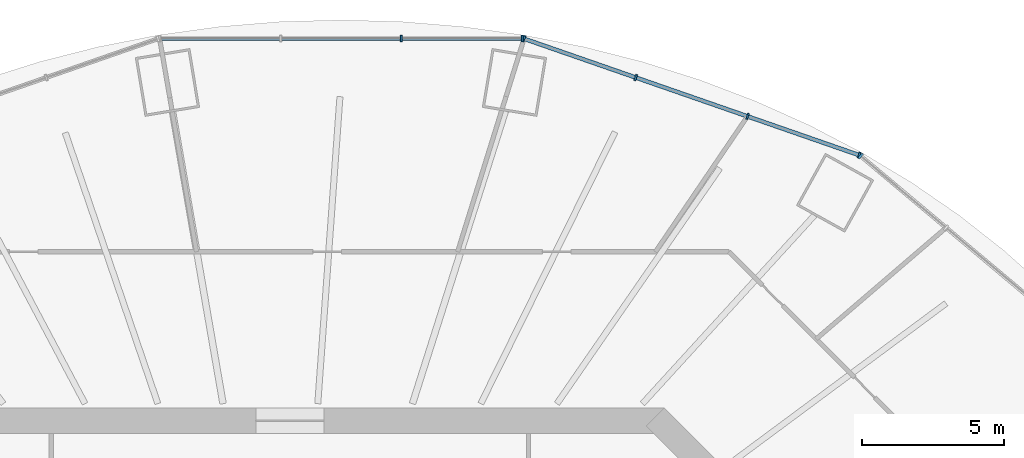
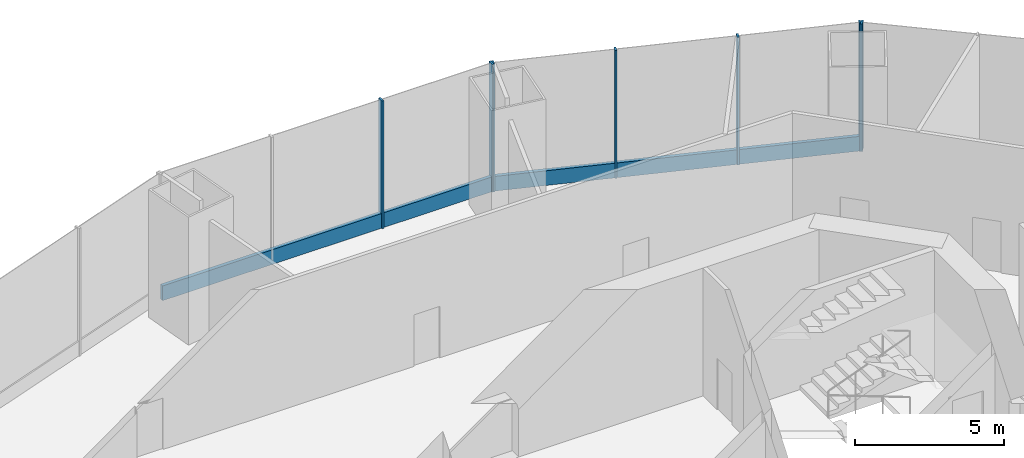
# One storey, part 7 of 15: 9 members, 3 elements without a shape of their own.
"""IFC4 building model written with IfcOpenShell, lengths in metres."""

from ifc_helpers import new_model, si_unit, direction, frame, origin, origin_2d, place, context, subcontext, project, spatial, rectangle, extrude, material, material_profile, profile_set, type_object, element, aggregate, save


model = new_model("IFC4")

# Units and contexts
model_context = context("Model", 3, precision=1e-05, world=origin(), true_north=direction((0.0, 1.0)))
body_context = subcontext(model_context, "Body", "Model", "MODEL_VIEW")
ifc_project = project(units=[si_unit("LENGTHUNIT", "METRE"), si_unit("AREAUNIT", "SQUARE_METRE"), si_unit("VOLUMEUNIT", "CUBIC_METRE"), si_unit("PLANEANGLEUNIT", "RADIAN"), si_unit("MASSUNIT", "GRAM", prefix="KILO")], contexts=[model_context])

# Site, building, storey
site_placement = place(None, origin())
site = spatial("IfcSite", under=ifc_project, at=site_placement, CompositionType="ELEMENT")
building_placement = place(site_placement, origin())
building = spatial("IfcBuilding", under=site, at=building_placement, Name="Marenthal Gate Tower", CompositionType="ELEMENT")
storey_placement = place(building_placement, frame((0.0, 0.0, 155.64990234375)))
storey = spatial("IfcBuildingStorey", under=building, at=storey_placement, Name="L33", CompositionType="ELEMENT", Elevation=155.64990234375)

# Curtain wall, member
ifc_material_1 = material(Name="Aluminium and glass", Category="aluminium")
curtain_wall_type = type_object("IfcCurtainWallType", Name="Curtain wall sky lobby", PredefinedType="NOTDEFINED", material=ifc_material_1)
curtain_wall_1_placement = place(storey_placement, origin())
curtain_wall_1 = element("IfcCurtainWall", 1, at=curtain_wall_1_placement, inside=storey, type_object=curtain_wall_type, Name="Curtain wall L33 bay 2", PredefinedType="NOTDEFINED")
ifc_material_2 = material(Name="Aluminium", Category="aluminium")
ifc_material_profile_1 = material_profile(ifc_material_2, rectangle(XDim=0.219970703125, YDim=0.070068359375, at=origin_2d()), Name="70x220 aluminium mullion")
ifc_profile_set_1 = profile_set([ifc_material_profile_1], Name="Aluminium")
member_type_1 = type_object("IfcMemberType", Name="Mullion 70x220 sky lobby", PredefinedType="MULLION", material=ifc_profile_set_1)
member_1_placement = place(storey_placement, frame((20.1005859375, 22.322509765625, 0.0), z_axis=(0.0, 0.0, 1.0), x_axis=(-0.642602351007, -0.766199855443, 0.0)))
member_1 = element("IfcMember", 2, at=member_1_placement, type_object=member_type_1, Name="Mullion L33 bay 2.4", PredefinedType="MULLION", context=body_context, shape_type="SweptSolid", body=[
    extrude(rectangle(XDim=0.219970703125, YDim=0.070068359375, at=origin_2d()), origin(), (0.0, 0.0, 1.0), 5.22021484375),
])
aggregate(curtain_wall_1, [member_1])

# Curtain wall, members
curtain_wall_2_placement = place(storey_placement, origin())
curtain_wall_2 = element("IfcCurtainWall", 3, at=curtain_wall_2_placement, inside=storey, type_object=curtain_wall_type, Name="Curtain wall L33 bay 3", PredefinedType="NOTDEFINED")
member_2_placement = place(storey_placement, frame((20.04931640625, 22.351806640625, 0.0), z_axis=(0.0, 0.0, 1.0), x_axis=(-0.328157600538, -0.944622987868, 0.0)))
member_2 = element("IfcMember", 4, at=member_2_placement, type_object=member_type_1, Name="Mullion L33 bay 3.1", PredefinedType="MULLION", context=body_context, shape_type="SweptSolid", body=[
    extrude(rectangle(XDim=0.219970703125, YDim=0.070068359375, at=origin_2d()), origin(), (0.0, 0.0, 1.0), 5.22021484375),
])
member_3_placement = place(storey_placement, frame((16.114990234375, 23.718505859375, 0.0), z_axis=(0.0, 0.0, 1.0), x_axis=(-0.328157600538, -0.944622987868, 0.0)))
member_3 = element("IfcMember", 5, at=member_3_placement, type_object=member_type_1, Name="Mullion L33 bay 3.2", PredefinedType="MULLION", context=body_context, shape_type="SweptSolid", body=[
    extrude(rectangle(XDim=0.219970703125, YDim=0.070068359375, at=origin_2d()), origin(), (0.0, 0.0, 1.0), 5.22021484375),
])
member_4_placement = place(storey_placement, frame((12.180908203125, 25.085205078125, 0.0), z_axis=(0.0, 0.0, 1.0), x_axis=(-0.328157600538, -0.944622987868, 0.0)))
member_4 = element("IfcMember", 6, at=member_4_placement, type_object=member_type_1, Name="Mullion L33 bay 3.3", PredefinedType="MULLION", context=body_context, shape_type="SweptSolid", body=[
    extrude(rectangle(XDim=0.219970703125, YDim=0.070068359375, at=origin_2d()), origin(), (0.0, 0.0, 1.0), 5.22021484375),
])
member_5_placement = place(storey_placement, frame((8.24658203125, 26.451904296875, 0.0), z_axis=(0.0, 0.0, 1.0), x_axis=(-0.328157600538, -0.944622987868, 0.0)))
member_5 = element("IfcMember", 7, at=member_5_placement, type_object=member_type_1, Name="Mullion L33 bay 3.4", PredefinedType="MULLION", context=body_context, shape_type="SweptSolid", body=[
    extrude(rectangle(XDim=0.219970703125, YDim=0.070068359375, at=origin_2d()), origin(), (0.0, 0.0, 1.0), 5.22021484375),
])

curtain_wall_3_placement = place(storey_placement, origin())
curtain_wall_3 = element("IfcCurtainWall", 8, at=curtain_wall_3_placement, inside=storey, type_object=curtain_wall_type, Name="Curtain wall L33 bay 4", PredefinedType="NOTDEFINED")
member_6_placement = place(storey_placement, frame((8.188232421875, 26.4619140625, 0.0), z_axis=(0.0, 0.0, 1.0), x_axis=(0.0, -1.0, 0.0)))
member_6 = element("IfcMember", 9, at=member_6_placement, type_object=member_type_1, Name="Mullion L33 bay 4.1", PredefinedType="MULLION", context=body_context, shape_type="SweptSolid", body=[
    extrude(rectangle(XDim=0.219970703125, YDim=0.070068359375, at=origin_2d()), origin(), (0.0, 0.0, 1.0), 5.22021484375),
])
member_7_placement = place(storey_placement, frame((3.929443359375, 26.4619140625, 0.0), z_axis=(0.0, 0.0, 1.0), x_axis=(0.0, -1.0, 0.0)))
member_7 = element("IfcMember", 10, at=member_7_placement, type_object=member_type_1, Name="Mullion L33 bay 4.2", PredefinedType="MULLION", context=body_context, shape_type="SweptSolid", body=[
    extrude(rectangle(XDim=0.219970703125, YDim=0.070068359375, at=origin_2d()), origin(), (0.0, 0.0, 1.0), 5.22021484375),
])

# Member
ifc_material_3 = material(Name="Aluminium", Category="aluminium")
ifc_material_profile_2 = material_profile(ifc_material_3, rectangle(XDim=0.139892578125, YDim=0.60009765625, at=origin_2d()), Name="140x600 aluminium transom")
ifc_profile_set_2 = profile_set([ifc_material_profile_2], Name="Aluminium")
member_type_2 = type_object("IfcMemberType", Name="Transom 140x600 sky lobby", PredefinedType="USERDEFINED", material=ifc_profile_set_2)
member_8_placement = place(storey_placement, frame((20.016357421875, 22.36328125, 0.300048828125), z_axis=(-0.944625028285, 0.328151727006, 0.0), x_axis=(-0.328151727006, -0.944625028285, 0.0)))
member_8 = element("IfcMember", 11, at=member_8_placement, type_object=member_type_2, Name="Transom L33 bay 3", ObjectType="TRANSOM", PredefinedType="USERDEFINED", context=body_context, shape_type="SweptSolid", body=[
    extrude(rectangle(XDim=0.139892578125, YDim=0.60009765625, at=origin_2d()), origin(), (0.0, 0.0, 1.0), 12.424560546875),
])

aggregate(curtain_wall_2, [member_2, member_3, member_4, member_5, member_8])

member_9_placement = place(storey_placement, frame((8.1533203125, 26.4619140625, 0.300048828125), z_axis=(-1.0, 0.0, 0.0), x_axis=(0.0, -1.0, 0.0)))
member_9 = element("IfcMember", 12, at=member_9_placement, type_object=member_type_2, Name="Transom L33 bay 4", ObjectType="TRANSOM", PredefinedType="USERDEFINED", context=body_context, shape_type="SweptSolid", body=[
    extrude(rectangle(XDim=0.139892578125, YDim=0.60009765625, at=origin_2d()), origin(), (0.0, 0.0, 1.0), 12.70654296875),
])

aggregate(curtain_wall_3, [member_6, member_7, member_9])

save(model, "model.ifc")
